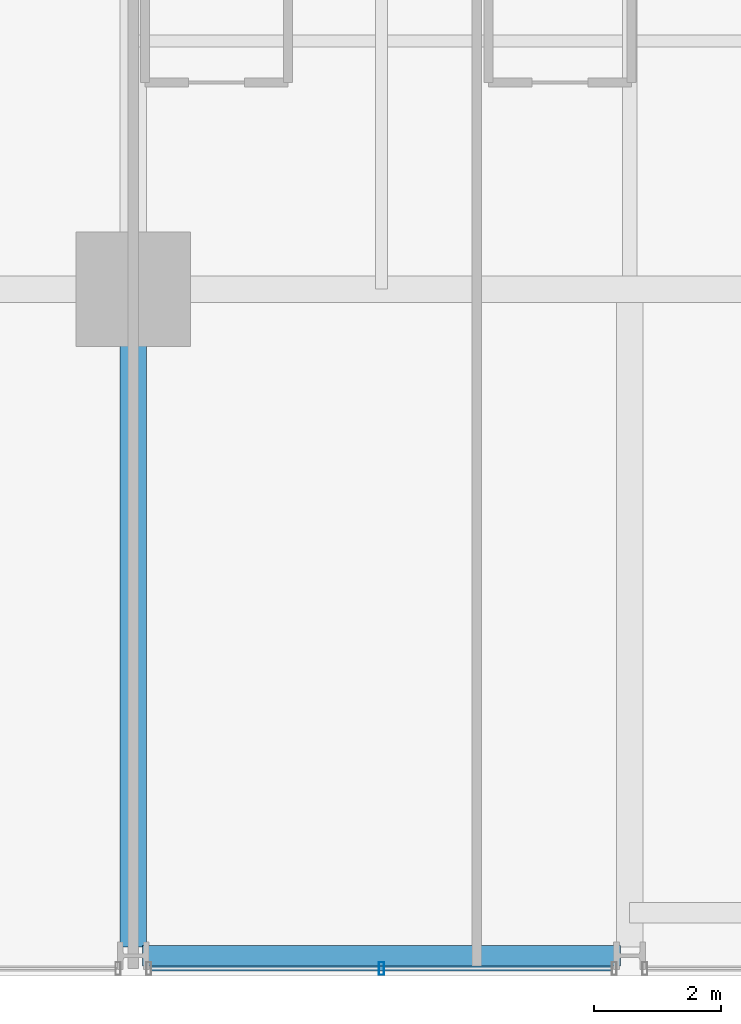
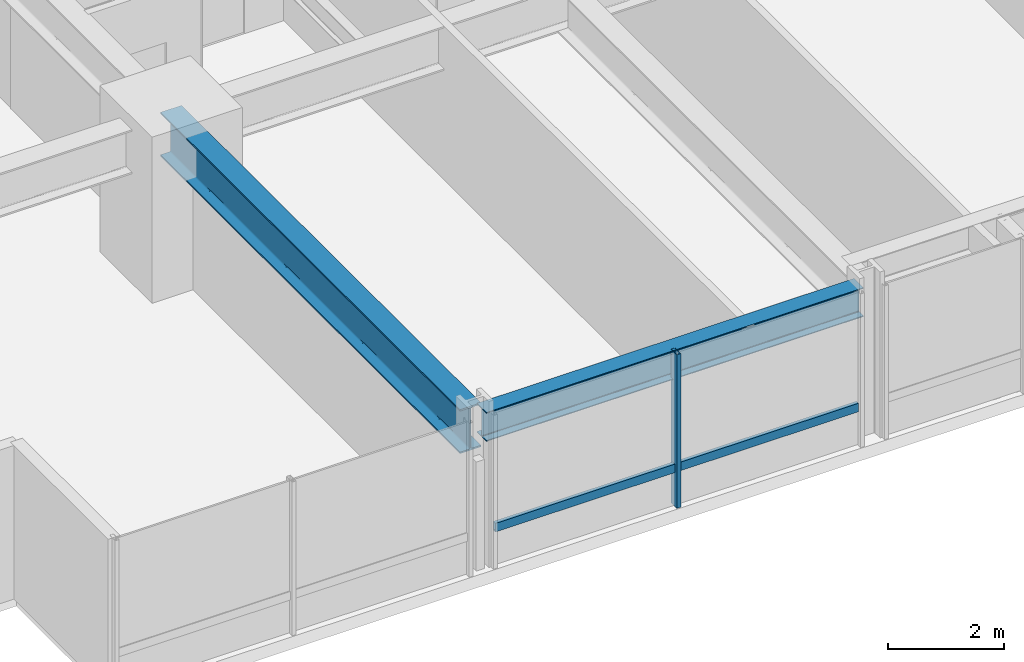
# One storey, part 3 of 39: 2 beams, 2 members, 1 element without a shape of its own.
"""IFC4 building model written with IfcOpenShell, lengths in metres."""

from ifc_helpers import new_model, si_unit, direction, frame, origin, origin_2d, place, context, subcontext, project, spatial, hollow_rectangle, i_section, extrude, material, layer, layer_set, material_profile, profile_set, type_object, element, aggregate, save


model = new_model("IFC4")

# Units and contexts
model_context = context("Model", 3, precision=1e-05, world=origin(), true_north=direction((0.0, 1.0)))
body_context = subcontext(model_context, "Body", "Model", "MODEL_VIEW")
ifc_project = project(units=[si_unit("LENGTHUNIT", "METRE"), si_unit("AREAUNIT", "SQUARE_METRE"), si_unit("VOLUMEUNIT", "CUBIC_METRE"), si_unit("PLANEANGLEUNIT", "RADIAN"), si_unit("MASSUNIT", "GRAM", prefix="KILO")], contexts=[model_context])

# Site, building, storey
site_placement = place(None, origin())
site = spatial("IfcSite", under=ifc_project, at=site_placement, CompositionType="ELEMENT")
building_placement = place(site_placement, origin())
building = spatial("IfcBuilding", under=site, at=building_placement, Name="Drelvath Grand Hotel", CompositionType="ELEMENT")
storey_placement = place(building_placement, frame((0.0, 0.0, 40.199951171875)))
storey = spatial("IfcBuildingStorey", under=building, at=storey_placement, Name="L08", CompositionType="ELEMENT", Elevation=40.199951171875)

# Curtain wall, members
ifc_material_1 = material(Name="Warm Bronze Anodised Aluminium Frame", Category="aluminium")
ifc_layer = layer(ifc_material_1, 0.199951171875)
ifc_layer_set = layer_set([ifc_layer], Name="Warm Bronze Anodised Aluminium Frame")
curtain_wall_type = type_object("IfcCurtainWallType", Name="Stick Curtain Wall CW-02 Warm Bronze Low-Rise", PredefinedType="NOTDEFINED", material=ifc_layer_set)
curtain_wall_placement = place(storey_placement, origin())
curtain_wall = element("IfcCurtainWall", 1, at=curtain_wall_placement, inside=storey, type_object=curtain_wall_type, Name="L08 CW-02 Curtain Wall CW02-L08-SW2", PredefinedType="NOTDEFINED")
ifc_material_profile_1 = material_profile(ifc_material_1, hollow_rectangle(XDim=0.074951171875, YDim=0.179931640625, WallThickness=0.0048828125, at=origin_2d()), Name="HSS180X75X5")
ifc_profile_set_1 = profile_set([ifc_material_profile_1], Name="Warm Bronze Anodised Aluminium Frame")
member_type_1 = type_object("IfcMemberType", Name="Curtain Wall Horizontal Transom CW-02 HSS180X75X5", PredefinedType="USERDEFINED", material=ifc_profile_set_1)
member_1_placement = place(storey_placement, frame((-8.680908203125, 0.1201171875, 0.81005859375), z_axis=(-1.0, 0.0, 0.0), x_axis=(0.0, -1.0, 0.0)))
member_1 = element("IfcMember", 2, at=member_1_placement, type_object=member_type_1, Name="CW02-L08-SW2 Sill Transom", ObjectType="TRANSOM", PredefinedType="USERDEFINED", context=body_context, shape_type="SweptSolid", body=[
    extrude(hollow_rectangle(XDim=0.074951171875, YDim=0.179931640625, WallThickness=0.0048828125, at=origin_2d()), origin(), (0.0, 0.0, 1.0), 7.23828125),
])
ifc_material_profile_2 = material_profile(ifc_material_1, hollow_rectangle(XDim=0.080078125, YDim=0.199951171875, WallThickness=0.0048828125, at=origin_2d()), Name="HSS200X80X5")
ifc_profile_set_2 = profile_set([ifc_material_profile_2], Name="Warm Bronze Anodised Aluminium Frame")
member_type_2 = type_object("IfcMemberType", Name="Curtain Wall Vertical Mullion CW-02 HSS200X80X5", PredefinedType="MULLION", material=ifc_profile_set_2)
member_2_placement = place(storey_placement, frame((-12.300048828125, 0.1201171875, 0.0), z_axis=(0.0, 0.0, 1.0), x_axis=(1.0, 0.0, 0.0)))
member_2 = element("IfcMember", 3, at=member_2_placement, type_object=member_type_2, Name="CW02-L08-SW2 Mullion 2", PredefinedType="MULLION", context=body_context, shape_type="SweptSolid", body=[
    extrude(hollow_rectangle(XDim=0.080078125, YDim=0.199951171875, WallThickness=0.0048828125, at=origin_2d()), origin(), (0.0, 0.0, 1.0), 3.239990234375),
])
aggregate(curtain_wall, [member_2, member_1])

# Beams
ifc_material_2 = material(Name="Steel ASTM A992 Gr 50", Category="steel")
ifc_material_profile_3 = material_profile(ifc_material_2, i_section(OverallWidth=0.323974609375, OverallDepth=0.611083984375, WebThickness=0.0126953125, FlangeThickness=0.01904296875, FilletRadius=0.02197265625, at=origin_2d()), Name="W24X104")
ifc_profile_set_3 = profile_set([ifc_material_profile_3], Name="Steel ASTM A992 Gr 50")
beam_type_1 = type_object("IfcBeamType", Name="Perimeter Spandrel Beam W24X104", PredefinedType="SPANDREL", material=ifc_profile_set_3)
beam_1_placement = place(storey_placement, frame((-16.06005859375, 0.320068359375, 2.9345703125), z_axis=(1.0, 0.0, 0.0), x_axis=(0.0, 1.0, 0.0)))
element("IfcBeam", 4, at=beam_1_placement, inside=storey, type_object=beam_type_1, Name="L08 Spandrel South W", PredefinedType="SPANDREL", context=body_context, shape_type="SweptSolid", body=[
    extrude(i_section(OverallWidth=0.323974609375, OverallDepth=0.611083984375, WebThickness=0.0126953125, FlangeThickness=0.01904296875, FilletRadius=0.02197265625, at=origin_2d()), origin(), (0.0, 0.0, 1.0), 7.52001953125),
])
ifc_material_profile_4 = material_profile(ifc_material_2, i_section(OverallWidth=0.418212890625, OverallDepth=0.926513671875, WebThickness=0.019287109375, FlangeThickness=0.031982421875, FilletRadius=0.028076171875, at=origin_2d()), Name="W36X231")
ifc_profile_set_4 = profile_set([ifc_material_profile_4], Name="Steel ASTM A992 Gr 50")
beam_type_2 = type_object("IfcBeamType", Name="Primary Floor Girder W36X231", PredefinedType="BEAM", material=ifc_profile_set_4)
beam_2_placement = place(storey_placement, frame((-16.199951171875, 0.4599609375, 2.77685546875), z_axis=(0.0, 1.0, 0.0), x_axis=(-1.0, 0.0, 0.0)))
element("IfcBeam", 5, at=beam_2_placement, inside=storey, type_object=beam_type_2, Name="L08 South Grid Girder 3", PredefinedType="BEAM", context=body_context, shape_type="SweptSolid", body=[
    extrude(i_section(OverallWidth=0.418212890625, OverallDepth=0.926513671875, WebThickness=0.019287109375, FlangeThickness=0.031982421875, FilletRadius=0.028076171875, at=origin_2d()), origin(), (0.0, 0.0, 1.0), 10.340087890625),
])

save(model, "model.ifc")
